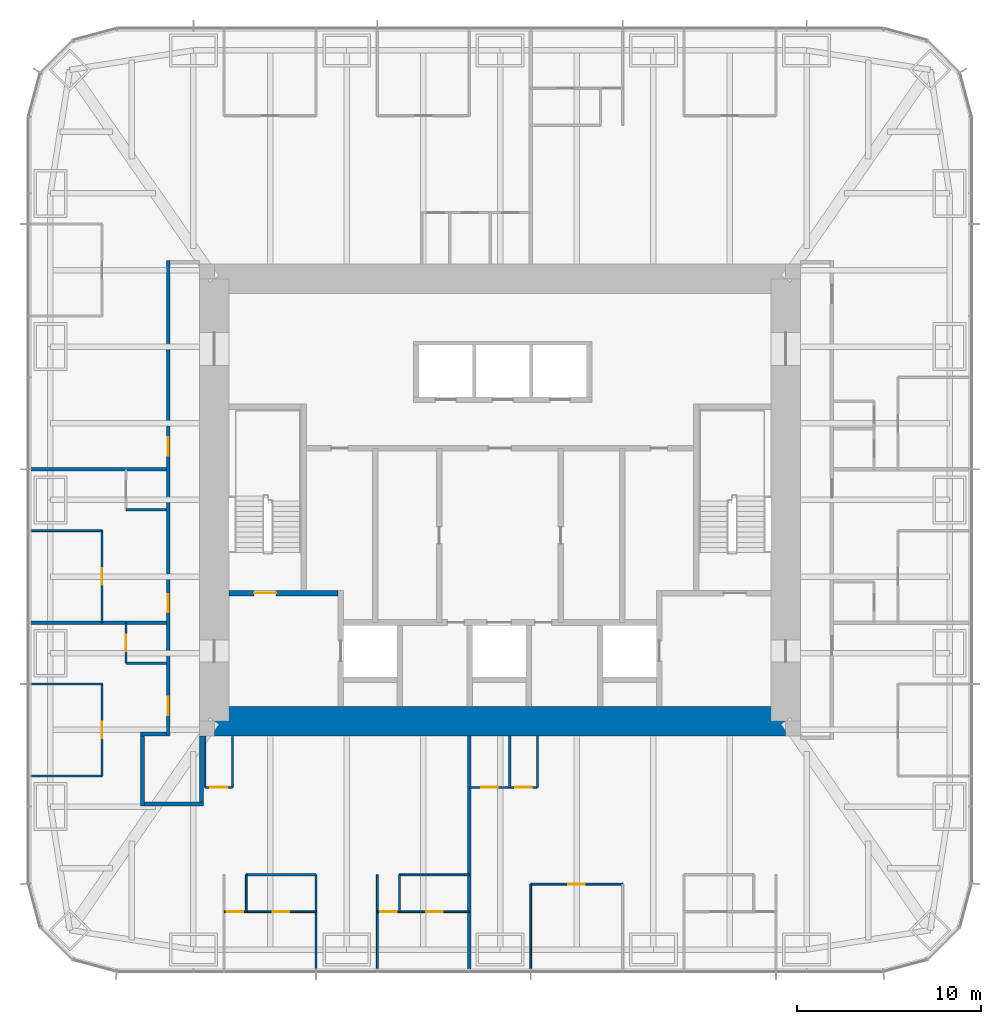
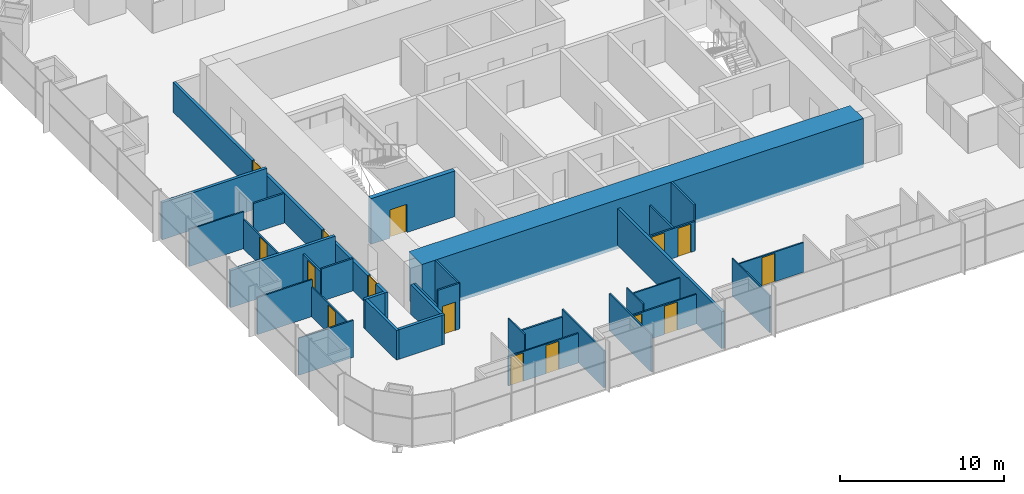
# One storey, part 9 of 13: 34 walls, 15 doors, 15 openings.
"""IFC4 building model written with IfcOpenShell, lengths in metres."""

from ifc_helpers import new_model, si_unit, direction, frame, frame_2d, origin, place, context, subcontext, project, spatial, rectangle, extrude, material, layer, layer_set, type_object, element, fill, save


model = new_model("IFC4")

# Units and contexts
model_context = context("Model", 3, precision=1e-05, world=origin(), true_north=direction((0.0, 1.0)))
body_context = subcontext(model_context, "Body", "Model", "MODEL_VIEW")
ifc_project = project(units=[si_unit("LENGTHUNIT", "METRE"), si_unit("AREAUNIT", "SQUARE_METRE"), si_unit("VOLUMEUNIT", "CUBIC_METRE"), si_unit("PLANEANGLEUNIT", "RADIAN"), si_unit("MASSUNIT", "GRAM", prefix="KILO")], contexts=[model_context])

# Site, building, storey
site_placement = place(None, origin())
site = spatial("IfcSite", under=ifc_project, at=site_placement, CompositionType="ELEMENT")
building_placement = place(site_placement, origin())
building = spatial("IfcBuilding", under=site, at=building_placement, Name="Khuree Lantern Residences", CompositionType="ELEMENT")
storey_placement = place(building_placement, frame((0.0, 0.0, 274.5)))
storey = spatial("IfcBuildingStorey", under=building, at=storey_placement, Name="L69", CompositionType="ELEMENT", Elevation=274.5)

# Walls
ifc_material_1 = material(Name="Moisture-resistant gypsum board on steel studs", Category="steel")
ifc_layer_1 = layer(ifc_material_1, 0.125)
ifc_layer_set_1 = layer_set([ifc_layer_1], Name="BATHROOM WALL BTW125")
wall_type_1 = type_object("IfcWallType", Name="BATHROOM WALL BTW125", PredefinedType="PARTITIONING", material=ifc_layer_set_1)
wall_1_placement = place(storey_placement, frame((-18.10009765625, -0.535888671875, 0.0), z_axis=(0.0, 0.0, 1.0), x_axis=(-1.0, 0.0, 0.0)))
element("IfcWall", 1, at=wall_1_placement, inside=storey, type_object=wall_type_1, Name="L69 BATHROOM WALL 04", PredefinedType="PARTITIONING", context=body_context, shape_type="SweptSolid", body=[
    extrude(rectangle(XDim=2.199951171875, YDim=0.125, at=frame_2d((1.10009765625, 0.0))), origin(), (0.0, 0.0, 1.0), 2.199951171875),
])
wall_2_placement = place(storey_placement, frame((-13.77587890625, -20.344970703125, 0.0), z_axis=(0.0, 0.0, 1.0), x_axis=(1.0, 0.0, 0.0)))
element("IfcWall", 2, at=wall_2_placement, inside=storey, type_object=wall_type_1, Name="L69 BATHROOM WALL 05", PredefinedType="PARTITIONING", context=body_context, shape_type="SweptSolid", body=[
    extrude(rectangle(XDim=3.7919921875, YDim=0.125, at=frame_2d((1.89599609375, 0.0))), origin(), (0.0, 0.0, 1.0), 2.199951171875),
])

# Wall, opening, door
wall_3_placement = place(storey_placement, frame((-20.300048828125, -6.656005859375, 0.0), z_axis=(0.0, 0.0, 1.0), x_axis=(0.0, -1.0, 0.0)))
wall_3 = element("IfcWall", 3, at=wall_3_placement, inside=storey, type_object=wall_type_1, Name="L69 BATHROOM WALL 05", PredefinedType="PARTITIONING", context=body_context, shape_type="SweptSolid", body=[
    extrude(rectangle(XDim=2.199951171875, YDim=0.125, at=frame_2d((1.10009765625, 0.0))), origin(), (0.0, 0.0, 1.0), 2.199951171875),
])
opening_1_placement = place(wall_3_placement, frame((0.64990234375, 0.0, 0.0)))
opening_1 = element("IfcOpeningElement", 4, at=opening_1_placement, cuts=wall_3, Name="Opening 69-045", PredefinedType="OPENING", context=body_context, shape_type="SweptSolid", body=[
    extrude(rectangle(XDim=0.89990234375, YDim=2.10009765625, at=frame_2d((0.449951171875, 1.050048828125))), frame((0.0, 0.072509765625, 0.0), z_axis=(0.0, -1.0, 0.0), x_axis=(1.0, 0.0, 0.0)), (0.0, 0.0, 1.0), 0.14501953125),
])
ifc_material_2 = material(Name="Timber door leaf in hardwood frame", Category="wood")
door_type_1 = type_object("IfcDoorType", Name="BATHROOM DOOR 900X2100", OperationType="SINGLE_SWING_LEFT", PredefinedType="DOOR", material=ifc_material_2)
door_1_placement = place(opening_1_placement, origin())
door_1 = element("IfcDoor", 5, at=door_1_placement, inside=storey, type_object=door_type_1, Name="Bathroom door 69-045", OperationType="SINGLE_SWING_LEFT", OverallHeight=2.10009765625, OverallWidth=0.89990234375, PredefinedType="DOOR", context=body_context, shape_type="SweptSolid", body=[
    extrude(rectangle(XDim=0.89990234375, YDim=2.10009765625, at=frame_2d((0.449951171875, 1.050048828125))), frame((0.0, 0.02490234375, 0.0), z_axis=(0.0, -1.0, 0.0), x_axis=(1.0, 0.0, 0.0)), (0.0, 0.0, 1.0), 0.050048828125),
])
fill(opening_1, door_1)

# Wall
wall_4_placement = place(storey_placement, frame((-18.10009765625, -8.85595703125, 0.0), z_axis=(0.0, 0.0, 1.0), x_axis=(-1.0, 0.0, 0.0)))
element("IfcWall", 6, at=wall_4_placement, inside=storey, type_object=wall_type_1, Name="L69 BATHROOM WALL 05", PredefinedType="PARTITIONING", context=body_context, shape_type="SweptSolid", body=[
    extrude(rectangle(XDim=2.199951171875, YDim=0.125, at=frame_2d((1.10009765625, 0.0))), origin(), (0.0, 0.0, 1.0), 2.39990234375),
])

# Wall, opening, door
wall_5_placement = place(storey_placement, frame((-16.0166015625, -15.60009765625, 0.0), z_axis=(0.0, 0.0, 1.0), x_axis=(1.0, 0.0, 0.0)))
wall_5 = element("IfcWall", 7, at=wall_5_placement, inside=storey, type_object=wall_type_1, Name="L69 BATHROOM WALL 05", PredefinedType="PARTITIONING", context=body_context, shape_type="SweptSolid", body=[
    extrude(rectangle(XDim=1.5, YDim=0.125, at=frame_2d((0.75, 0.0))), origin(), (0.0, 0.0, 1.0), 3.39990234375),
])
opening_2_placement = place(wall_5_placement, frame((0.300048828125, 0.0, 0.0)))
opening_2 = element("IfcOpeningElement", 8, at=opening_2_placement, cuts=wall_5, Name="Opening 69-046", PredefinedType="OPENING", context=body_context, shape_type="SweptSolid", body=[
    extrude(rectangle(XDim=0.89990234375, YDim=2.10009765625, at=frame_2d((0.449951171875, 1.050048828125))), frame((0.0, 0.072509765625, 0.0), z_axis=(0.0, -1.0, 0.0), x_axis=(1.0, 0.0, 0.0)), (0.0, 0.0, 1.0), 0.14501953125),
])
door_type_2 = type_object("IfcDoorType", Name="WC DOOR 900X2100", OperationType="SINGLE_SWING_LEFT", PredefinedType="DOOR", material=ifc_material_2)
door_2_placement = place(opening_2_placement, origin())
door_2 = element("IfcDoor", 9, at=door_2_placement, inside=storey, type_object=door_type_2, Name="WC door 69-046", OperationType="SINGLE_SWING_LEFT", OverallHeight=2.10009765625, OverallWidth=0.89990234375, PredefinedType="DOOR", context=body_context, shape_type="SweptSolid", body=[
    extrude(rectangle(XDim=0.89990234375, YDim=2.10009765625, at=frame_2d((0.449951171875, 1.050048828125))), frame((0.0, 0.02490234375, 0.0), z_axis=(0.0, -1.0, 0.0), x_axis=(1.0, 0.0, 0.0)), (0.0, 0.0, 1.0), 0.050048828125),
])
fill(opening_2, door_2)

# Walls
wall_6_placement = place(storey_placement, frame((-16.0166015625, -12.800048828125, 0.0), z_axis=(0.0, 0.0, 1.0), x_axis=(0.0, -1.0, 0.0)))
element("IfcWall", 10, at=wall_6_placement, inside=storey, type_object=wall_type_1, Name="L69 BATHROOM WALL 05", PredefinedType="PARTITIONING", context=body_context, shape_type="SweptSolid", body=[
    extrude(rectangle(XDim=2.800048828125, YDim=0.125, at=frame_2d((1.39990234375, 0.0))), origin(), (0.0, 0.0, 1.0), 2.199951171875),
])
wall_7_placement = place(storey_placement, frame((-14.5166015625, -12.800048828125, 0.0), z_axis=(0.0, 0.0, 1.0), x_axis=(0.0, -1.0, 0.0)))
element("IfcWall", 11, at=wall_7_placement, inside=storey, type_object=wall_type_1, Name="L69 BATHROOM WALL 05", PredefinedType="PARTITIONING", context=body_context, shape_type="SweptSolid", body=[
    extrude(rectangle(XDim=2.800048828125, YDim=0.125, at=frame_2d((1.39990234375, 0.0))), origin(), (0.0, 0.0, 1.0), 3.39990234375),
])

# Wall, openings, doors
wall_8_placement = place(storey_placement, frame((-1.6640625, -15.60009765625, 0.0), z_axis=(0.0, 0.0, 1.0), x_axis=(1.0, 0.0, 0.0)))
wall_8 = element("IfcWall", 12, at=wall_8_placement, inside=storey, type_object=wall_type_1, Name="L69 BATHROOM WALL 06", PredefinedType="PARTITIONING", context=body_context, shape_type="SweptSolid", body=[
    extrude(rectangle(XDim=3.699951171875, YDim=0.125, at=frame_2d((1.85009765625, 0.0))), origin(), (0.0, 0.0, 1.0), 2.199951171875),
])
opening_3_placement = place(wall_8_placement, frame((0.64990234375, 0.0, 0.0)))
opening_3 = element("IfcOpeningElement", 13, at=opening_3_placement, cuts=wall_8, Name="Opening 69-052", PredefinedType="OPENING", context=body_context, shape_type="SweptSolid", body=[
    extrude(rectangle(XDim=0.89990234375, YDim=2.10009765625, at=frame_2d((0.449951171875, 1.050048828125))), frame((0.0, 0.072509765625, 0.0), z_axis=(0.0, -1.0, 0.0), x_axis=(1.0, 0.0, 0.0)), (0.0, 0.0, 1.0), 0.14501953125),
])
opening_4_placement = place(wall_8_placement, frame((2.5, 0.0, 0.0)))
opening_4 = element("IfcOpeningElement", 14, at=opening_4_placement, cuts=wall_8, Name="Opening 69-053", PredefinedType="OPENING", context=body_context, shape_type="SweptSolid", body=[
    extrude(rectangle(XDim=0.89990234375, YDim=2.10009765625, at=frame_2d((0.449951171875, 1.050048828125))), frame((0.0, 0.072509765625, 0.0), z_axis=(0.0, -1.0, 0.0), x_axis=(1.0, 0.0, 0.0)), (0.0, 0.0, 1.0), 0.14501953125),
])
door_3_placement = place(opening_3_placement, origin())
door_3 = element("IfcDoor", 15, at=door_3_placement, inside=storey, type_object=door_type_1, Name="Bathroom door 69-052", OperationType="SINGLE_SWING_LEFT", OverallHeight=2.10009765625, OverallWidth=0.89990234375, PredefinedType="DOOR", context=body_context, shape_type="SweptSolid", body=[
    extrude(rectangle(XDim=0.89990234375, YDim=2.10009765625, at=frame_2d((0.449951171875, 1.050048828125))), frame((0.0, 0.02490234375, 0.0), z_axis=(0.0, -1.0, 0.0), x_axis=(1.0, 0.0, 0.0)), (0.0, 0.0, 1.0), 0.050048828125),
])
fill(opening_3, door_3)
door_4_placement = place(opening_4_placement, origin())
door_4 = element("IfcDoor", 16, at=door_4_placement, inside=storey, type_object=door_type_2, Name="WC door 69-053", OperationType="SINGLE_SWING_LEFT", OverallHeight=2.10009765625, OverallWidth=0.89990234375, PredefinedType="DOOR", context=body_context, shape_type="SweptSolid", body=[
    extrude(rectangle(XDim=0.89990234375, YDim=2.10009765625, at=frame_2d((0.449951171875, 1.050048828125))), frame((0.0, 0.02490234375, 0.0), z_axis=(0.0, -1.0, 0.0), x_axis=(1.0, 0.0, 0.0)), (0.0, 0.0, 1.0), 0.050048828125),
])
fill(opening_4, door_4)

# Walls
wall_9_placement = place(storey_placement, frame((0.535888671875, -12.800048828125, 0.0), z_axis=(0.0, 0.0, 1.0), x_axis=(0.0, -1.0, 0.0)))
element("IfcWall", 17, at=wall_9_placement, inside=storey, type_object=wall_type_1, Name="L69 BATHROOM WALL 06", PredefinedType="PARTITIONING", context=body_context, shape_type="SweptSolid", body=[
    extrude(rectangle(XDim=2.800048828125, YDim=0.125, at=frame_2d((1.39990234375, 0.0))), origin(), (0.0, 0.0, 1.0), 2.199951171875),
])
wall_10_placement = place(storey_placement, frame((2.035888671875, -12.800048828125, 0.0), z_axis=(0.0, 0.0, 1.0), x_axis=(0.0, -1.0, 0.0)))
element("IfcWall", 18, at=wall_10_placement, inside=storey, type_object=wall_type_1, Name="L69 BATHROOM WALL 06", PredefinedType="PARTITIONING", context=body_context, shape_type="SweptSolid", body=[
    extrude(rectangle(XDim=2.800048828125, YDim=0.125, at=frame_2d((1.39990234375, 0.0))), origin(), (0.0, 0.0, 1.0), 3.39990234375),
])
ifc_material_3 = material(Name="Gypsum board on steel studs", Category="steel")
ifc_layer_2 = layer(ifc_material_3, 0.199951171875)
ifc_layer_set_2 = layer_set([ifc_layer_2], Name="CORRIDOR WALL CRW200 EI 60")
wall_type_2 = type_object("IfcWallType", Name="CORRIDOR WALL CRW200 EI 60", PredefinedType="PARTITIONING", material=ifc_layer_set_2)
wall_11_placement = place(storey_placement, frame((-18.10009765625, -12.699951171875, 0.0), z_axis=(0.0, 0.0, 1.0), x_axis=(-1.0, 0.0, 0.0)))
element("IfcWall", 19, at=wall_11_placement, inside=storey, type_object=wall_type_2, Name="L69 RESIDENTS LOUNGE WALL", PredefinedType="PARTITIONING", context=body_context, shape_type="SweptSolid", body=[
    extrude(rectangle(XDim=1.39990234375, YDim=0.199951171875, at=frame_2d((0.699951171875, 0.0))), origin(), (0.0, 0.0, 1.0), 2.199951171875),
])
wall_12_placement = place(storey_placement, frame((-19.39990234375, -12.60009765625, 0.0), z_axis=(0.0, 0.0, 1.0), x_axis=(0.0, -1.0, 0.0)))
element("IfcWall", 20, at=wall_12_placement, inside=storey, type_object=wall_type_2, Name="L69 RESIDENTS LOUNGE WALL", PredefinedType="PARTITIONING", context=body_context, shape_type="SweptSolid", body=[
    extrude(rectangle(XDim=4.0, YDim=0.199951171875, at=frame_2d((2.0, 0.0))), origin(), (0.0, 0.0, 1.0), 2.199951171875),
])
wall_13_placement = place(storey_placement, frame((-19.300048828125, -16.5, 0.0), z_axis=(0.0, 0.0, 1.0), x_axis=(1.0, 0.0, 0.0)))
element("IfcWall", 21, at=wall_13_placement, inside=storey, type_object=wall_type_2, Name="L69 RESIDENTS LOUNGE WALL", PredefinedType="PARTITIONING", context=body_context, shape_type="SweptSolid", body=[
    extrude(rectangle(XDim=3.199951171875, YDim=0.199951171875, at=frame_2d((1.60009765625, 0.0))), origin(), (0.0, 0.0, 1.0), 2.199951171875),
])
wall_14_placement = place(storey_placement, frame((-16.199951171875, -16.60009765625, 0.0), z_axis=(0.0, 0.0, 1.0), x_axis=(0.0, 1.0, 0.0)))
element("IfcWall", 22, at=wall_14_placement, inside=storey, type_object=wall_type_2, Name="L69 RESIDENTS LOUNGE WALL", PredefinedType="PARTITIONING", context=body_context, shape_type="SweptSolid", body=[
    extrude(rectangle(XDim=3.800048828125, YDim=0.199951171875, at=frame_2d((1.89990234375, 0.0))), origin(), (0.0, 0.0, 1.0), 2.199951171875),
])

# Wall, openings, doors
wall_15_placement = place(storey_placement, frame((-18.0, 13.0, 0.0), z_axis=(0.0, 0.0, 1.0), x_axis=(0.0, -1.0, 0.0)))
wall_15 = element("IfcWall", 23, at=wall_15_placement, inside=storey, type_object=wall_type_2, Name="L69 CORRIDOR WALL WEST 1", PredefinedType="PARTITIONING", context=body_context, shape_type="SweptSolid", body=[
    extrude(rectangle(XDim=25.800048828125, YDim=0.199951171875, at=frame_2d((12.89990234375, 0.0))), origin(), (0.0, 0.0, 1.0), 2.199951171875),
])
opening_5_placement = place(wall_15_placement, frame((9.60009765625, 0.0, 0.0)))
opening_5 = element("IfcOpeningElement", 24, at=opening_5_placement, cuts=wall_15, Name="Opening 69-036", PredefinedType="OPENING", context=body_context, shape_type="SweptSolid", body=[
    extrude(rectangle(XDim=1.0, YDim=2.199951171875, at=frame_2d((0.5, 1.10009765625))), frame((0.0, 0.10986328125, 0.0), z_axis=(0.0, -1.0, 0.0), x_axis=(1.0, 0.0, 0.0)), (0.0, 0.0, 1.0), 0.219970703125),
])
opening_6_placement = place(wall_15_placement, frame((18.10595703125, 0.0, 0.0)))
opening_6 = element("IfcOpeningElement", 25, at=opening_6_placement, cuts=wall_15, Name="Opening 69-039", PredefinedType="OPENING", context=body_context, shape_type="SweptSolid", body=[
    extrude(rectangle(XDim=1.0, YDim=2.199951171875, at=frame_2d((0.5, 1.10009765625))), frame((0.0, 0.10986328125, 0.0), z_axis=(0.0, -1.0, 0.0), x_axis=(1.0, 0.0, 0.0)), (0.0, 0.0, 1.0), 0.219970703125),
])
opening_7_placement = place(wall_15_placement, frame((23.676025390625, 0.0, 0.0)))
opening_7 = element("IfcOpeningElement", 26, at=opening_7_placement, cuts=wall_15, Name="Opening 69-047", PredefinedType="OPENING", context=body_context, shape_type="SweptSolid", body=[
    extrude(rectangle(XDim=1.0, YDim=2.199951171875, at=frame_2d((0.5, 1.10009765625))), frame((0.0, 0.10986328125, 0.0), z_axis=(0.0, -1.0, 0.0), x_axis=(1.0, 0.0, 0.0)), (0.0, 0.0, 1.0), 0.219970703125),
])
door_type_3 = type_object("IfcDoorType", Name="APARTMENT ENTRANCE DOOR 1000X2200 EI 30S", OperationType="SINGLE_SWING_LEFT", PredefinedType="DOOR", material=ifc_material_2)
door_5_placement = place(opening_5_placement, origin())
door_5 = element("IfcDoor", 27, at=door_5_placement, inside=storey, type_object=door_type_3, Name="Apartment 03 entrance door 69-036", OperationType="SINGLE_SWING_LEFT", OverallHeight=2.199951171875, OverallWidth=1.0, PredefinedType="DOOR", context=body_context, shape_type="SweptSolid", body=[
    extrude(rectangle(XDim=1.0, YDim=2.199951171875, at=frame_2d((0.5, 1.10009765625))), frame((0.0, 0.02490234375, 0.0), z_axis=(0.0, -1.0, 0.0), x_axis=(1.0, 0.0, 0.0)), (0.0, 0.0, 1.0), 0.050048828125),
])
fill(opening_5, door_5)
door_6_placement = place(opening_6_placement, origin())
door_6 = element("IfcDoor", 28, at=door_6_placement, inside=storey, type_object=door_type_3, Name="Apartment 04 entrance door 69-039", OperationType="SINGLE_SWING_LEFT", OverallHeight=2.199951171875, OverallWidth=1.0, PredefinedType="DOOR", context=body_context, shape_type="SweptSolid", body=[
    extrude(rectangle(XDim=1.0, YDim=2.199951171875, at=frame_2d((0.5, 1.10009765625))), frame((0.0, 0.02490234375, 0.0), z_axis=(0.0, -1.0, 0.0), x_axis=(1.0, 0.0, 0.0)), (0.0, 0.0, 1.0), 0.050048828125),
])
fill(opening_6, door_6)
door_7_placement = place(opening_7_placement, origin())
door_7 = element("IfcDoor", 29, at=door_7_placement, inside=storey, type_object=door_type_3, Name="Apartment 05 entrance door 69-047", OperationType="SINGLE_SWING_LEFT", OverallHeight=2.199951171875, OverallWidth=1.0, PredefinedType="DOOR", context=body_context, shape_type="SweptSolid", body=[
    extrude(rectangle(XDim=1.0, YDim=2.199951171875, at=frame_2d((0.5, 1.10009765625))), frame((0.0, 0.02490234375, 0.0), z_axis=(0.0, -1.0, 0.0), x_axis=(1.0, 0.0, 0.0)), (0.0, 0.0, 1.0), 0.050048828125),
])
fill(opening_7, door_7)

# Walls
ifc_material_4 = material(Name="Concrete C50/60", Category="concrete")
ifc_layer_3 = layer(ifc_material_4, 1.60009765625)
ifc_layer_set_3 = layer_set([ifc_layer_3], Name="CW1600-C50 CORE WALL C50 1600")
wall_type_3 = type_object("IfcWallType", Name="CW1600-C50 CORE WALL C50 1600", PredefinedType="SHEAR", material=ifc_layer_set_3)
wall_16_placement = place(storey_placement, frame((-15.5, -12.0, -0.25), z_axis=(0.0, 0.0, 1.0), x_axis=(1.0, 0.0, 0.0)))
element("IfcWall", 30, at=wall_16_placement, inside=storey, type_object=wall_type_3, Name="Core wall S", PredefinedType="SHEAR", context=body_context, shape_type="SweptSolid", body=[
    extrude(rectangle(XDim=31.0, YDim=1.60009765625, at=frame_2d((15.5, 0.0))), origin(), (0.0, 0.0, 1.0), 3.64990234375),
])
ifc_layer_4 = layer(ifc_material_3, 0.199951171875)
ifc_layer_set_4 = layer_set([ifc_layer_4], Name="DEMISING WALL DMW200 EI 90")
wall_type_4 = type_object("IfcWallType", Name="DEMISING WALL DMW200 EI 90", PredefinedType="PARTITIONING", material=ifc_layer_set_4)
for number, where, z_axis, x_axis, name in (
    (31, (-18.10009765625, 1.6640625, 0.0), (0.0, 0.0, 1.0), (-1.0, 0.0, 0.0), "L69 DEMISING WALL 04"),
    (32, (-18.10009765625, -6.656005859375, 0.0), (0.0, 0.0, 1.0), (-1.0, 0.0, 0.0), "L69 DEMISING WALL 05"),
):
    element("IfcWall", number, at=place(storey_placement, frame(where, z_axis=z_axis, x_axis=x_axis)), inside=storey, type_object=wall_type_4, Name=name, PredefinedType="PARTITIONING", context=body_context, shape_type="SweptSolid", body=[
        extrude(rectangle(XDim=7.349853515625, YDim=0.199951171875, at=frame_2d((3.6748046875, 0.0))), origin(), (0.0, 0.0, 1.0), 2.75),
    ])
wall_17_placement = place(storey_placement, frame((-1.6640625, -12.800048828125, 0.0), z_axis=(0.0, 0.0, 1.0), x_axis=(0.0, -1.0, 0.0)))
element("IfcWall", 33, at=wall_17_placement, inside=storey, type_object=wall_type_4, Name="L69 DEMISING WALL 06", PredefinedType="PARTITIONING", context=body_context, shape_type="SweptSolid", body=[
    extrude(rectangle(XDim=12.64990234375, YDim=0.199951171875, at=frame_2d((6.324951171875, 0.0))), origin(), (0.0, 0.0, 1.0), 2.75),
])
ifc_layer_5 = layer(ifc_material_3, 0.10009765625)
ifc_layer_set_5 = layer_set([ifc_layer_5], Name="PARTITION PT100")
wall_type_5 = type_object("IfcWallType", Name="PARTITION PT100", PredefinedType="PARTITIONING", material=ifc_layer_set_5)
for number, where, z_axis, x_axis, name in (
    (34, (-21.60009765625, -1.6640625, 0.0), (0.0, 0.0, 1.0), (-1.0, 0.0, 0.0), "L69 PARTITION 04"),
    (35, (-21.60009765625, -9.98388671875, 0.0), (0.0, 0.0, 1.0), (-1.0, 0.0, 0.0), "L69 PARTITION 05"),
    (36, (-21.60009765625, -14.97607421875, 0.0), (0.0, 0.0, 1.0), (-1.0, 0.0, 0.0), "L69 PARTITION 05"),
):
    element("IfcWall", number, at=place(storey_placement, frame(where, z_axis=z_axis, x_axis=x_axis)), inside=storey, type_object=wall_type_5, Name=name, PredefinedType="PARTITIONING", context=body_context, shape_type="SweptSolid", body=[
        extrude(rectangle(XDim=3.849853515625, YDim=0.10009765625, at=frame_2d((1.9248046875, 0.0))), origin(), (0.0, 0.0, 1.0), 2.75),
    ])
for number, where, z_axis, x_axis, name in (
    (37, (-9.98388671875, -20.344970703125, 0.0), (0.0, 0.0, 1.0), (0.0, -1.0, 0.0), "L69 PARTITION 05"),
    (38, (-6.656005859375, -20.344970703125, 0.0), (0.0, 0.0, 1.0), (0.0, -1.0, 0.0), "L69 PARTITION 05"),
):
    element("IfcWall", number, at=place(storey_placement, frame(where, z_axis=z_axis, x_axis=x_axis)), inside=storey, type_object=wall_type_5, Name=name, PredefinedType="PARTITIONING", context=body_context, shape_type="SweptSolid", body=[
        extrude(rectangle(XDim=5.10498046875, YDim=0.10009765625, at=frame_2d((2.552490234375, 0.0))), origin(), (0.0, 0.0, 1.0), 2.75),
    ])
wall_18_placement = place(storey_placement, frame((1.6640625, -20.85009765625, 0.0), z_axis=(0.0, 0.0, 1.0), x_axis=(0.0, -1.0, 0.0)))
element("IfcWall", 39, at=wall_18_placement, inside=storey, type_object=wall_type_5, Name="L69 PARTITION 06", PredefinedType="PARTITIONING", context=body_context, shape_type="SweptSolid", body=[
    extrude(rectangle(XDim=4.599853515625, YDim=0.10009765625, at=frame_2d((2.2998046875, 0.0))), origin(), (0.0, 0.0, 1.0), 2.75),
])

# Wall, opening, door
wall_19_placement = place(storey_placement, frame((-21.60009765625, -1.6640625, 0.0), z_axis=(0.0, 0.0, 1.0), x_axis=(0.0, -1.0, 0.0)))
wall_19 = element("IfcWall", 40, at=wall_19_placement, inside=storey, type_object=wall_type_5, Name="L69 PARTITION 04", PredefinedType="PARTITIONING", context=body_context, shape_type="SweptSolid", body=[
    extrude(rectangle(XDim=4.991943359375, YDim=0.10009765625, at=frame_2d((2.49609375, 0.0))), origin(), (0.0, 0.0, 1.0), 2.199951171875),
])
opening_8_placement = place(wall_19_placement, frame((2.0458984375, 0.0, 0.0)))
opening_8 = element("IfcOpeningElement", 41, at=opening_8_placement, cuts=wall_19, Name="Opening 69-037", PredefinedType="OPENING", context=body_context, shape_type="SweptSolid", body=[
    extrude(rectangle(XDim=0.89990234375, YDim=2.10009765625, at=frame_2d((0.449951171875, 1.050048828125))), frame((0.0, 0.06005859375, 0.0), z_axis=(0.0, -1.0, 0.0), x_axis=(1.0, 0.0, 0.0)), (0.0, 0.0, 1.0), 0.1201171875),
])
door_type_4 = type_object("IfcDoorType", Name="BEDROOM DOOR 900X2100 RIGHT HAND", OperationType="SINGLE_SWING_RIGHT", PredefinedType="DOOR", material=ifc_material_2)
door_8_placement = place(opening_8_placement, origin())
door_8 = element("IfcDoor", 42, at=door_8_placement, inside=storey, type_object=door_type_4, Name="Bedroom door 69-037", OperationType="SINGLE_SWING_RIGHT", OverallHeight=2.10009765625, OverallWidth=0.89990234375, PredefinedType="DOOR", context=body_context, shape_type="SweptSolid", body=[
    extrude(rectangle(XDim=0.89990234375, YDim=2.10009765625, at=frame_2d((0.449951171875, 1.050048828125))), frame((0.0, 0.02490234375, 0.0), z_axis=(0.0, -1.0, 0.0), x_axis=(1.0, 0.0, 0.0)), (0.0, 0.0, 1.0), 0.050048828125),
])
fill(opening_8, door_8)

wall_20_placement = place(storey_placement, frame((-21.60009765625, -9.98388671875, 0.0), z_axis=(0.0, 0.0, 1.0), x_axis=(0.0, -1.0, 0.0)))
wall_20 = element("IfcWall", 43, at=wall_20_placement, inside=storey, type_object=wall_type_5, Name="L69 PARTITION 05", PredefinedType="PARTITIONING", context=body_context, shape_type="SweptSolid", body=[
    extrude(rectangle(XDim=4.9921875, YDim=0.10009765625, at=frame_2d((2.49609375, 0.0))), origin(), (0.0, 0.0, 1.0), 2.199951171875),
])
opening_9_placement = place(wall_20_placement, frame((2.0458984375, 0.0, 0.0)))
opening_9 = element("IfcOpeningElement", 44, at=opening_9_placement, cuts=wall_20, Name="Opening 69-040", PredefinedType="OPENING", context=body_context, shape_type="SweptSolid", body=[
    extrude(rectangle(XDim=0.89990234375, YDim=2.10009765625, at=frame_2d((0.449951171875, 1.050048828125))), frame((0.0, 0.06005859375, 0.0), z_axis=(0.0, -1.0, 0.0), x_axis=(1.0, 0.0, 0.0)), (0.0, 0.0, 1.0), 0.1201171875),
])
door_type_5 = type_object("IfcDoorType", Name="BEDROOM DOOR 900X2100", OperationType="SINGLE_SWING_LEFT", PredefinedType="DOOR", material=ifc_material_2)
door_9_placement = place(opening_9_placement, origin())
door_9 = element("IfcDoor", 45, at=door_9_placement, inside=storey, type_object=door_type_5, Name="Bedroom door 69-040", OperationType="SINGLE_SWING_LEFT", OverallHeight=2.10009765625, OverallWidth=0.89990234375, PredefinedType="DOOR", context=body_context, shape_type="SweptSolid", body=[
    extrude(rectangle(XDim=0.89990234375, YDim=2.10009765625, at=frame_2d((0.449951171875, 1.050048828125))), frame((0.0, 0.02490234375, 0.0), z_axis=(0.0, -1.0, 0.0), x_axis=(1.0, 0.0, 0.0)), (0.0, 0.0, 1.0), 0.050048828125),
])
fill(opening_9, door_9)

# Wall, openings, doors
wall_21_placement = place(storey_placement, frame((-14.97607421875, -22.344970703125, 0.0), z_axis=(0.0, 0.0, 1.0), x_axis=(1.0, 0.0, 0.0)))
wall_21 = element("IfcWall", 46, at=wall_21_placement, inside=storey, type_object=wall_type_5, Name="L69 PARTITION 05", PredefinedType="PARTITIONING", context=body_context, shape_type="SweptSolid", body=[
    extrude(rectangle(XDim=4.9921875, YDim=0.10009765625, at=frame_2d((2.49609375, 0.0))), origin(), (0.0, 0.0, 1.0), 2.199951171875),
])
opening_10_placement = place(wall_21_placement, frame((0.14990234375, 0.0, 0.0)))
opening_10 = element("IfcOpeningElement", 47, at=opening_10_placement, cuts=wall_21, Name="Opening 69-041", PredefinedType="OPENING", context=body_context, shape_type="SweptSolid", body=[
    extrude(rectangle(XDim=0.89990234375, YDim=2.10009765625, at=frame_2d((0.449951171875, 1.050048828125))), frame((0.0, 0.06005859375, 0.0), z_axis=(0.0, -1.0, 0.0), x_axis=(1.0, 0.0, 0.0)), (0.0, 0.0, 1.0), 0.1201171875),
])
opening_11_placement = place(wall_21_placement, frame((2.64599609375, 0.0, 0.0)))
opening_11 = element("IfcOpeningElement", 48, at=opening_11_placement, cuts=wall_21, Name="Opening 69-042", PredefinedType="OPENING", context=body_context, shape_type="SweptSolid", body=[
    extrude(rectangle(XDim=0.89990234375, YDim=2.10009765625, at=frame_2d((0.449951171875, 1.050048828125))), frame((0.0, 0.06005859375, 0.0), z_axis=(0.0, -1.0, 0.0), x_axis=(1.0, 0.0, 0.0)), (0.0, 0.0, 1.0), 0.1201171875),
])
door_10_placement = place(opening_11_placement, origin())
door_10 = element("IfcDoor", 49, at=door_10_placement, inside=storey, type_object=door_type_1, Name="Bathroom door 69-042", OperationType="SINGLE_SWING_LEFT", OverallHeight=2.10009765625, OverallWidth=0.89990234375, PredefinedType="DOOR", context=body_context, shape_type="SweptSolid", body=[
    extrude(rectangle(XDim=0.89990234375, YDim=2.10009765625, at=frame_2d((0.449951171875, 1.050048828125))), frame((0.0, 0.02490234375, 0.0), z_axis=(0.0, -1.0, 0.0), x_axis=(1.0, 0.0, 0.0)), (0.0, 0.0, 1.0), 0.050048828125),
])
fill(opening_11, door_10)
door_11_placement = place(opening_10_placement, origin())
door_11 = element("IfcDoor", 50, at=door_11_placement, inside=storey, type_object=door_type_5, Name="Bedroom door 69-041", OperationType="SINGLE_SWING_LEFT", OverallHeight=2.10009765625, OverallWidth=0.89990234375, PredefinedType="DOOR", context=body_context, shape_type="SweptSolid", body=[
    extrude(rectangle(XDim=0.89990234375, YDim=2.10009765625, at=frame_2d((0.449951171875, 1.050048828125))), frame((0.0, 0.02490234375, 0.0), z_axis=(0.0, -1.0, 0.0), x_axis=(1.0, 0.0, 0.0)), (0.0, 0.0, 1.0), 0.050048828125),
])
fill(opening_10, door_11)

# Wall
wall_22_placement = place(storey_placement, frame((-13.77587890625, -20.344970703125, 0.0), z_axis=(0.0, 0.0, 1.0), x_axis=(0.0, -1.0, 0.0)))
element("IfcWall", 51, at=wall_22_placement, inside=storey, type_object=wall_type_5, Name="L69 PARTITION 05", PredefinedType="PARTITIONING", context=body_context, shape_type="SweptSolid", body=[
    extrude(rectangle(XDim=2.0, YDim=0.10009765625, at=frame_2d((1.0, 0.0))), origin(), (0.0, 0.0, 1.0), 3.39990234375),
])

# Wall, openings, doors
wall_23_placement = place(storey_placement, frame((-6.656005859375, -22.344970703125, 0.0), z_axis=(0.0, 0.0, 1.0), x_axis=(1.0, 0.0, 0.0)))
wall_23 = element("IfcWall", 52, at=wall_23_placement, inside=storey, type_object=wall_type_5, Name="L69 PARTITION 05", PredefinedType="PARTITIONING", context=body_context, shape_type="SweptSolid", body=[
    extrude(rectangle(XDim=4.991943359375, YDim=0.10009765625, at=frame_2d((2.49609375, 0.0))), origin(), (0.0, 0.0, 1.0), 2.199951171875),
])
opening_12_placement = place(wall_23_placement, frame((0.14990234375, 0.0, 0.0)))
opening_12 = element("IfcOpeningElement", 53, at=opening_12_placement, cuts=wall_23, Name="Opening 69-043", PredefinedType="OPENING", context=body_context, shape_type="SweptSolid", body=[
    extrude(rectangle(XDim=0.89990234375, YDim=2.10009765625, at=frame_2d((0.449951171875, 1.050048828125))), frame((0.0, 0.06005859375, 0.0), z_axis=(0.0, -1.0, 0.0), x_axis=(1.0, 0.0, 0.0)), (0.0, 0.0, 1.0), 0.1201171875),
])
opening_13_placement = place(wall_23_placement, frame((2.64599609375, 0.0, 0.0)))
opening_13 = element("IfcOpeningElement", 54, at=opening_13_placement, cuts=wall_23, Name="Opening 69-044", PredefinedType="OPENING", context=body_context, shape_type="SweptSolid", body=[
    extrude(rectangle(XDim=0.89990234375, YDim=2.10009765625, at=frame_2d((0.449951171875, 1.050048828125))), frame((0.0, 0.06005859375, 0.0), z_axis=(0.0, -1.0, 0.0), x_axis=(1.0, 0.0, 0.0)), (0.0, 0.0, 1.0), 0.1201171875),
])
door_12_placement = place(opening_12_placement, origin())
door_12 = element("IfcDoor", 55, at=door_12_placement, inside=storey, type_object=door_type_5, Name="Bedroom door 69-043", OperationType="SINGLE_SWING_LEFT", OverallHeight=2.10009765625, OverallWidth=0.89990234375, PredefinedType="DOOR", context=body_context, shape_type="SweptSolid", body=[
    extrude(rectangle(XDim=0.89990234375, YDim=2.10009765625, at=frame_2d((0.449951171875, 1.050048828125))), frame((0.0, 0.02490234375, 0.0), z_axis=(0.0, -1.0, 0.0), x_axis=(1.0, 0.0, 0.0)), (0.0, 0.0, 1.0), 0.050048828125),
])
fill(opening_12, door_12)
door_type_6 = type_object("IfcDoorType", Name="DOOR 900X2100 RIGHT HAND", OperationType="SINGLE_SWING_RIGHT", PredefinedType="DOOR", material=ifc_material_2)
door_13_placement = place(opening_13_placement, origin())
door_13 = element("IfcDoor", 56, at=door_13_placement, inside=storey, type_object=door_type_6, Name="Wardrobe door 69-044", OperationType="SINGLE_SWING_RIGHT", OverallHeight=2.10009765625, OverallWidth=0.89990234375, PredefinedType="DOOR", context=body_context, shape_type="SweptSolid", body=[
    extrude(rectangle(XDim=0.89990234375, YDim=2.10009765625, at=frame_2d((0.449951171875, 1.050048828125))), frame((0.0, 0.02490234375, 0.0), z_axis=(0.0, -1.0, 0.0), x_axis=(1.0, 0.0, 0.0)), (0.0, 0.0, 1.0), 0.050048828125),
])
fill(opening_13, door_13)

# Walls
wall_24_placement = place(storey_placement, frame((-5.4560546875, -20.344970703125, 0.0), z_axis=(0.0, 0.0, 1.0), x_axis=(0.0, -1.0, 0.0)))
element("IfcWall", 57, at=wall_24_placement, inside=storey, type_object=wall_type_5, Name="L69 PARTITION 05", PredefinedType="PARTITIONING", context=body_context, shape_type="SweptSolid", body=[
    extrude(rectangle(XDim=2.0, YDim=0.10009765625, at=frame_2d((1.0, 0.0))), origin(), (0.0, 0.0, 1.0), 2.75),
])
wall_25_placement = place(storey_placement, frame((-5.4560546875, -20.344970703125, 0.0), z_axis=(0.0, 0.0, 1.0), x_axis=(1.0, 0.0, 0.0)))
element("IfcWall", 58, at=wall_25_placement, inside=storey, type_object=wall_type_5, Name="L69 PARTITION 05", PredefinedType="PARTITIONING", context=body_context, shape_type="SweptSolid", body=[
    extrude(rectangle(XDim=3.7919921875, YDim=0.10009765625, at=frame_2d((1.89599609375, 0.0))), origin(), (0.0, 0.0, 1.0), 2.199951171875),
])

# Wall, opening, door
wall_26_placement = place(storey_placement, frame((1.6640625, -20.85009765625, 0.0), z_axis=(0.0, 0.0, 1.0), x_axis=(1.0, 0.0, 0.0)))
wall_26 = element("IfcWall", 59, at=wall_26_placement, inside=storey, type_object=wall_type_5, Name="L69 PARTITION 06", PredefinedType="PARTITIONING", context=body_context, shape_type="SweptSolid", body=[
    extrude(rectangle(XDim=4.991943359375, YDim=0.10009765625, at=frame_2d((2.49609375, 0.0))), origin(), (0.0, 0.0, 1.0), 2.199951171875),
])
opening_14_placement = place(wall_26_placement, frame((2.0458984375, 0.0, 0.0)))
opening_14 = element("IfcOpeningElement", 60, at=opening_14_placement, cuts=wall_26, Name="Opening 69-048", PredefinedType="OPENING", context=body_context, shape_type="SweptSolid", body=[
    extrude(rectangle(XDim=0.89990234375, YDim=2.10009765625, at=frame_2d((0.449951171875, 1.050048828125))), frame((0.0, 0.06005859375, 0.0), z_axis=(0.0, -1.0, 0.0), x_axis=(1.0, 0.0, 0.0)), (0.0, 0.0, 1.0), 0.1201171875),
])
door_14_placement = place(opening_14_placement, origin())
door_14 = element("IfcDoor", 61, at=door_14_placement, inside=storey, type_object=door_type_5, Name="Bedroom door 69-048", OperationType="SINGLE_SWING_LEFT", OverallHeight=2.10009765625, OverallWidth=0.89990234375, PredefinedType="DOOR", context=body_context, shape_type="SweptSolid", body=[
    extrude(rectangle(XDim=0.89990234375, YDim=2.10009765625, at=frame_2d((0.449951171875, 1.050048828125))), frame((0.0, 0.02490234375, 0.0), z_axis=(0.0, -1.0, 0.0), x_axis=(1.0, 0.0, 0.0)), (0.0, 0.0, 1.0), 0.050048828125),
])
fill(opening_14, door_14)

ifc_layer_6 = layer(ifc_material_4, 0.300048828125)
ifc_layer_set_6 = layer_set([ifc_layer_6], Name="STAIR WALL SRW300 C50/60 REI 240")
wall_type_6 = type_object("IfcWallType", Name="STAIR WALL SRW300 C50/60 REI 240", PredefinedType="SOLIDWALL", material=ifc_layer_set_6)
wall_27_placement = place(storey_placement, frame((-14.699951171875, -5.050048828125, 0.0), z_axis=(0.0, 0.0, 1.0), x_axis=(1.0, 0.0, 0.0)))
wall_27 = element("IfcWall", 62, at=wall_27_placement, inside=storey, type_object=wall_type_6, Name="L69 STAIR WALL ST1S", PredefinedType="SOLIDWALL", context=body_context, shape_type="SweptSolid", body=[
    extrude(rectangle(XDim=5.89990234375, YDim=0.300048828125, at=frame_2d((2.949951171875, 0.0))), origin(), (0.0, 0.0, 1.0), 3.39990234375),
])
opening_15_placement = place(wall_27_placement, frame((1.35009765625, 0.0, 0.0)))
opening_15 = element("IfcOpeningElement", 63, at=opening_15_placement, cuts=wall_27, Name="Opening 69-001", PredefinedType="OPENING", context=body_context, shape_type="SweptSolid", body=[
    extrude(rectangle(XDim=1.199951171875, YDim=2.10009765625, at=frame_2d((0.60009765625, 1.050048828125))), frame((0.0, 0.16015625, 0.0), z_axis=(0.0, -1.0, 0.0), x_axis=(1.0, 0.0, 0.0)), (0.0, 0.0, 1.0), 0.320068359375),
])
ifc_material_5 = material(Name="Steel door leaf in steel frame", Category="steel")
door_type_7 = type_object("IfcDoorType", Name="STAIR DOOR 1200X2100 EI 120", OperationType="SINGLE_SWING_LEFT", PredefinedType="DOOR", material=ifc_material_5)
door_15_placement = place(opening_15_placement, origin())
door_15 = element("IfcDoor", 64, at=door_15_placement, inside=storey, type_object=door_type_7, Name="Stair ST1 door 69-001", OperationType="SINGLE_SWING_LEFT", OverallHeight=2.10009765625, OverallWidth=1.199951171875, PredefinedType="DOOR", context=body_context, shape_type="SweptSolid", body=[
    extrude(rectangle(XDim=1.199951171875, YDim=2.10009765625, at=frame_2d((0.60009765625, 1.050048828125))), frame((0.0, 0.02490234375, 0.0), z_axis=(0.0, -1.0, 0.0), x_axis=(1.0, 0.0, 0.0)), (0.0, 0.0, 1.0), 0.050048828125),
])
fill(opening_15, door_15)

save(model, "model.ifc")
